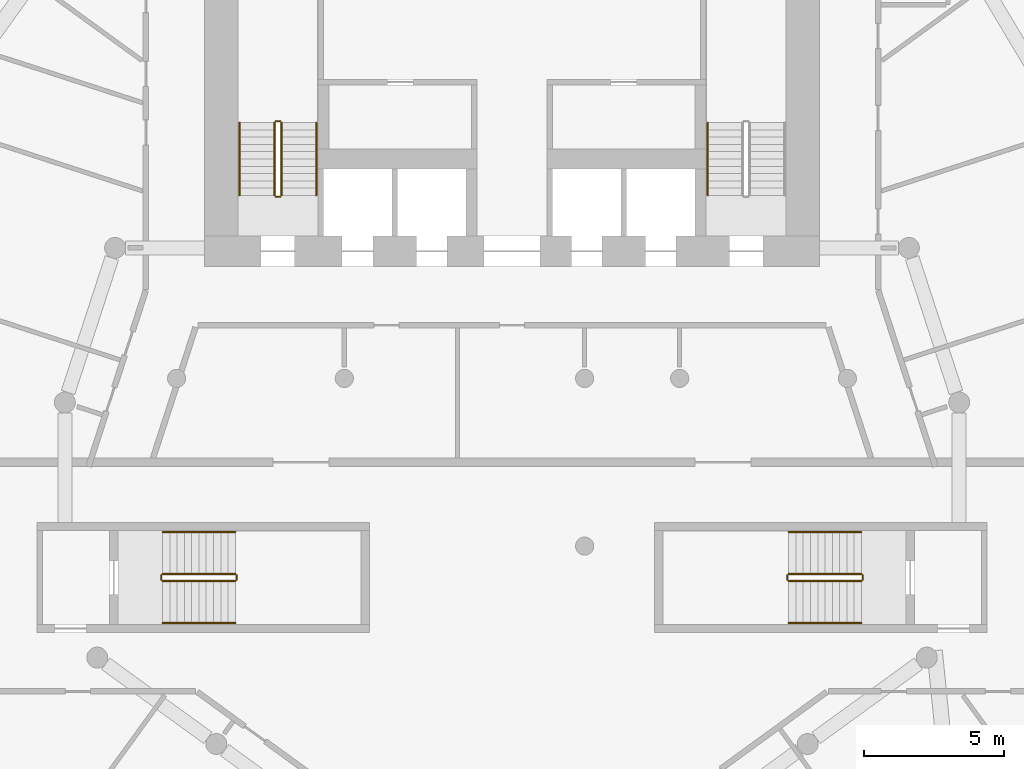
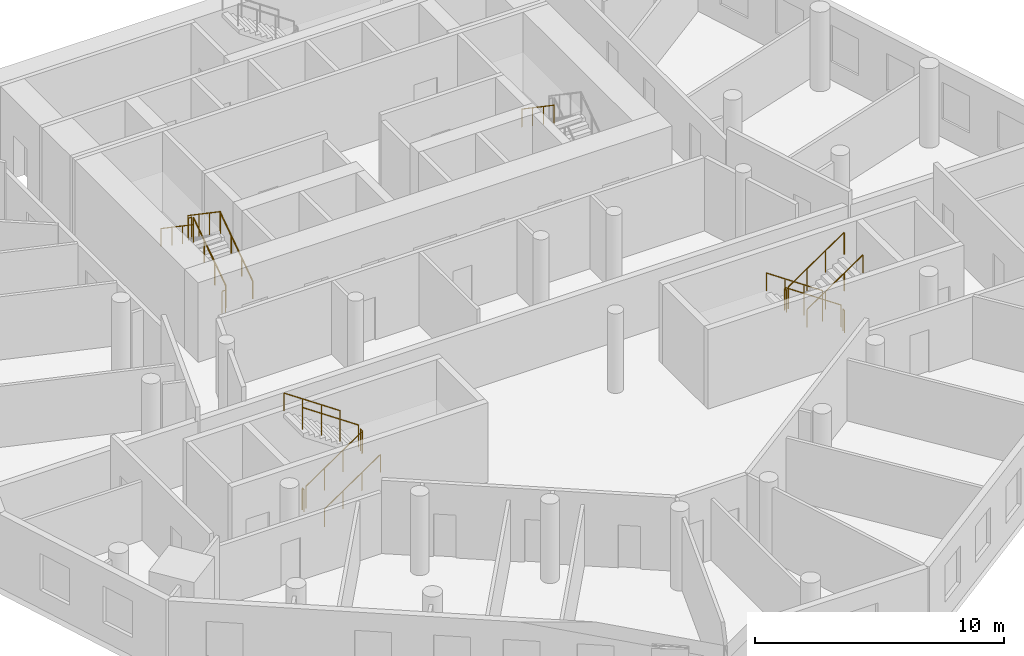
# One storey, part 8 of 9: 19 railings.
"""IFC4 building model written with IfcOpenShell, lengths in metres."""

from ifc_helpers import new_model, si_unit, direction, frame, origin, origin_2d, place, context, subcontext, project, spatial, circle, extrude, material, type_object, element, save


model = new_model("IFC4")

# Units and contexts
model_context = context("Model", 3, precision=1e-05, world=origin(), true_north=direction((0.0, 1.0)))
body_context = subcontext(model_context, "Body", "Model", "MODEL_VIEW")
ifc_project = project(units=[si_unit("LENGTHUNIT", "METRE"), si_unit("AREAUNIT", "SQUARE_METRE"), si_unit("VOLUMEUNIT", "CUBIC_METRE"), si_unit("PLANEANGLEUNIT", "RADIAN"), si_unit("MASSUNIT", "GRAM", prefix="KILO")], contexts=[model_context])

# Site, building, storey
site_placement = place(None, origin())
site = spatial("IfcSite", under=ifc_project, at=site_placement, CompositionType="ELEMENT")
building_placement = place(site_placement, origin())
building = spatial("IfcBuilding", under=site, at=building_placement, Name="White Candle Pilgrim Tower", CompositionType="ELEMENT")
storey_placement = place(building_placement, frame((0.0, 0.0, 110.300048828125)))
storey = spatial("IfcBuildingStorey", under=building, at=storey_placement, Name="L24", CompositionType="ELEMENT", Elevation=110.300048828125)

# Railings
ifc_material = material(Name="Stainless steel", Category="steel")
railing_type_1 = type_object("IfcRailingType", Name="Stair guard stainless steel 1100 mm", PredefinedType="GUARDRAIL", material=ifc_material)
railing_1_placement = place(storey_placement, frame((61.75, 73.550048828125, 0.17724609375)))
element("IfcRailing", 1, at=railing_1_placement, inside=storey, type_object=railing_type_1, Name="L24 ST1 stair guard 1", PredefinedType="GUARDRAIL", context=body_context, shape_type="SweptSolid", body=[
    extrude(circle(Radius=0.02392578125, at=origin_2d()), frame((0.0, 0.0, 1.076171875), z_axis=(0.0, 0.826215852431, 0.563353676824), x_axis=(-1.0, 0.0, 0.0)), (0.0, 0.0, 1.0), 3.146728515625),
    extrude(circle(Radius=0.02099609375, at=origin_2d()), origin(), (0.0, 0.0, 1.0), 1.052001953125),
    extrude(circle(Radius=0.02099609375, at=origin_2d()), frame((0.0, 0.86669921875, 0.5908203125)), (0.0, 0.0, 1.0), 1.052001953125),
    extrude(circle(Radius=0.02099609375, at=origin_2d()), frame((0.0, 1.733154296875, 1.181884765625)), (0.0, 0.0, 1.0), 1.052001953125),
    extrude(circle(Radius=0.02099609375, at=origin_2d()), frame((0.0, 2.599853515625, 1.772705078125)), (0.0, 0.0, 1.0), 1.052001953125),
])
railing_2_placement = place(storey_placement, frame((61.699951171875, 76.199951171875, 1.949951171875)))
element("IfcRailing", 2, at=railing_2_placement, inside=storey, type_object=railing_type_1, Name="L24 ST1 stair guard 2", PredefinedType="GUARDRAIL", context=body_context, shape_type="SweptSolid", body=[
    extrude(circle(Radius=0.02392578125, at=origin_2d()), frame((0.0, 0.0, 1.076171875), z_axis=(-1.0, 0.0, 0.0), x_axis=(0.0, -1.0, 0.0)), (0.0, 0.0, 1.0), 0.14990234375),
    extrude(circle(Radius=0.02099609375, at=origin_2d()), origin(), (0.0, 0.0, 1.0), 1.052001953125),
    extrude(circle(Radius=0.02099609375, at=origin_2d()), frame((-0.14990234375, 0.0, 0.0)), (0.0, 0.0, 1.0), 1.052001953125),
])
railing_3_placement = place(storey_placement, frame((61.5, 76.14990234375, 2.127197265625)))
element("IfcRailing", 3, at=railing_3_placement, inside=storey, type_object=railing_type_1, Name="L24 ST1 stair guard 3", PredefinedType="GUARDRAIL", context=body_context, shape_type="SweptSolid", body=[
    extrude(circle(Radius=0.02392578125, at=origin_2d()), frame((0.0, 0.0, 1.076171875), z_axis=(0.0, -0.826215852431, 0.563353676824), x_axis=(1.0, 0.0, 0.0)), (0.0, 0.0, 1.0), 3.146728515625),
    extrude(circle(Radius=0.02099609375, at=origin_2d()), origin(), (0.0, 0.0, 1.0), 1.052001953125),
    extrude(circle(Radius=0.02099609375, at=origin_2d()), frame((0.0, -0.86669921875, 0.5908203125)), (0.0, 0.0, 1.0), 1.052001953125),
    extrude(circle(Radius=0.02099609375, at=origin_2d()), frame((0.0, -1.733154296875, 1.181884765625)), (0.0, 0.0, 1.0), 1.052001953125),
    extrude(circle(Radius=0.02099609375, at=origin_2d()), frame((0.0, -2.599853515625, 1.772705078125)), (0.0, 0.0, 1.0), 1.052001953125),
])
railing_4_placement = place(storey_placement, frame((61.699951171875, 73.5, 0.0)))
element("IfcRailing", 4, at=railing_4_placement, inside=storey, type_object=railing_type_1, Name="L24 ST1 stair guard 4", PredefinedType="GUARDRAIL", context=body_context, shape_type="SweptSolid", body=[
    extrude(circle(Radius=0.02392578125, at=origin_2d()), frame((0.0, 0.0, 1.076171875), z_axis=(-1.0, 0.0, 0.0), x_axis=(0.0, -1.0, 0.0)), (0.0, 0.0, 1.0), 0.14990234375),
    extrude(circle(Radius=0.02099609375, at=origin_2d()), origin(), (0.0, 0.0, 1.0), 1.052001953125),
    extrude(circle(Radius=0.02099609375, at=origin_2d()), frame((-0.14990234375, 0.0, 0.0)), (0.0, 0.0, 1.0), 1.052001953125),
])
railing_5_placement = place(storey_placement, frame((82.5, 60.0, 0.17724609375)))
element("IfcRailing", 5, at=railing_5_placement, inside=storey, type_object=railing_type_1, Name="L24 ST4 stair guard 1", PredefinedType="GUARDRAIL", context=body_context, shape_type="SweptSolid", body=[
    extrude(circle(Radius=0.02392578125, at=origin_2d()), frame((0.0, 0.0, 1.076171875), z_axis=(-0.826240473404, 0.0, 0.563317565952), x_axis=(0.0, -1.0, 0.0)), (0.0, 0.0, 1.0), 3.14697265625),
    extrude(circle(Radius=0.02099609375, at=origin_2d()), origin(), (0.0, 0.0, 1.0), 1.052001953125),
    extrude(circle(Radius=0.02099609375, at=origin_2d()), frame((-0.86669921875, 0.0, 0.5908203125)), (0.0, 0.0, 1.0), 1.052001953125),
    extrude(circle(Radius=0.02099609375, at=origin_2d()), frame((-1.7333984375, 0.0, 1.181884765625)), (0.0, 0.0, 1.0), 1.052001953125),
    extrude(circle(Radius=0.02099609375, at=origin_2d()), frame((-2.60009765625, 0.0, 1.772705078125)), (0.0, 0.0, 1.0), 1.052001953125),
])
railing_6_placement = place(storey_placement, frame((79.85009765625, 59.949951171875, 1.949951171875)))
element("IfcRailing", 6, at=railing_6_placement, inside=storey, type_object=railing_type_1, Name="L24 ST4 stair guard 2", PredefinedType="GUARDRAIL", context=body_context, shape_type="SweptSolid", body=[
    extrude(circle(Radius=0.02392578125, at=origin_2d()), frame((0.0, 0.0, 1.076171875), z_axis=(0.0, -1.0, 0.0), x_axis=(1.0, 0.0, 0.0)), (0.0, 0.0, 1.0), 0.14990234375),
    extrude(circle(Radius=0.02099609375, at=origin_2d()), origin(), (0.0, 0.0, 1.0), 1.052001953125),
    extrude(circle(Radius=0.02099609375, at=origin_2d()), frame((0.0, -0.14990234375, 0.0)), (0.0, 0.0, 1.0), 1.052001953125),
])
railing_7_placement = place(storey_placement, frame((79.89990234375, 59.75, 2.127197265625)))
element("IfcRailing", 7, at=railing_7_placement, inside=storey, type_object=railing_type_1, Name="L24 ST4 stair guard 3", PredefinedType="GUARDRAIL", context=body_context, shape_type="SweptSolid", body=[
    extrude(circle(Radius=0.02392578125, at=origin_2d()), frame((0.0, 0.0, 1.076171875), z_axis=(0.826240473404, 0.0, 0.563317565952), x_axis=(0.0, 1.0, 0.0)), (0.0, 0.0, 1.0), 3.14697265625),
    extrude(circle(Radius=0.02099609375, at=origin_2d()), origin(), (0.0, 0.0, 1.0), 1.052001953125),
    extrude(circle(Radius=0.02099609375, at=origin_2d()), frame((0.86669921875, 0.0, 0.5908203125)), (0.0, 0.0, 1.0), 1.052001953125),
    extrude(circle(Radius=0.02099609375, at=origin_2d()), frame((1.7333984375, 0.0, 1.181884765625)), (0.0, 0.0, 1.0), 1.052001953125),
    extrude(circle(Radius=0.02099609375, at=origin_2d()), frame((2.60009765625, 0.0, 1.772705078125)), (0.0, 0.0, 1.0), 1.052001953125),
])
railing_8_placement = place(storey_placement, frame((82.550048828125, 59.949951171875, 0.0)))
element("IfcRailing", 8, at=railing_8_placement, inside=storey, type_object=railing_type_1, Name="L24 ST4 stair guard 4", PredefinedType="GUARDRAIL", context=body_context, shape_type="SweptSolid", body=[
    extrude(circle(Radius=0.02392578125, at=origin_2d()), frame((0.0, 0.0, 1.076171875), z_axis=(0.0, -1.0, 0.0), x_axis=(1.0, 0.0, 0.0)), (0.0, 0.0, 1.0), 0.14990234375),
    extrude(circle(Radius=0.02099609375, at=origin_2d()), origin(), (0.0, 0.0, 1.0), 1.052001953125),
    extrude(circle(Radius=0.02099609375, at=origin_2d()), frame((0.0, -0.14990234375, 0.0)), (0.0, 0.0, 1.0), 1.052001953125),
])
railing_9_placement = place(storey_placement, frame((57.5, 59.75, 0.17724609375)))
element("IfcRailing", 9, at=railing_9_placement, inside=storey, type_object=railing_type_1, Name="L24 ST5 stair guard 1", PredefinedType="GUARDRAIL", context=body_context, shape_type="SweptSolid", body=[
    extrude(circle(Radius=0.02392578125, at=origin_2d()), frame((0.0, 0.0, 1.076171875), z_axis=(0.826240473404, 0.0, 0.563317565952), x_axis=(0.0, 1.0, 0.0)), (0.0, 0.0, 1.0), 3.14697265625),
    extrude(circle(Radius=0.02099609375, at=origin_2d()), origin(), (0.0, 0.0, 1.0), 1.052001953125),
    extrude(circle(Radius=0.02099609375, at=origin_2d()), frame((0.86669921875, 0.0, 0.5908203125)), (0.0, 0.0, 1.0), 1.052001953125),
    extrude(circle(Radius=0.02099609375, at=origin_2d()), frame((1.7333984375, 0.0, 1.181884765625)), (0.0, 0.0, 1.0), 1.052001953125),
    extrude(circle(Radius=0.02099609375, at=origin_2d()), frame((2.60009765625, 0.0, 1.772705078125)), (0.0, 0.0, 1.0), 1.052001953125),
])
railing_10_placement = place(storey_placement, frame((60.14990234375, 59.800048828125, 1.949951171875)))
element("IfcRailing", 10, at=railing_10_placement, inside=storey, type_object=railing_type_1, Name="L24 ST5 stair guard 2", PredefinedType="GUARDRAIL", context=body_context, shape_type="SweptSolid", body=[
    extrude(circle(Radius=0.02392578125, at=origin_2d()), frame((0.0, 0.0, 1.076171875), z_axis=(0.0, 1.0, 0.0), x_axis=(-1.0, 0.0, 0.0)), (0.0, 0.0, 1.0), 0.14990234375),
    extrude(circle(Radius=0.02099609375, at=origin_2d()), origin(), (0.0, 0.0, 1.0), 1.052001953125),
    extrude(circle(Radius=0.02099609375, at=origin_2d()), frame((0.0, 0.14990234375, 0.0)), (0.0, 0.0, 1.0), 1.052001953125),
])
railing_11_placement = place(storey_placement, frame((60.10009765625, 60.0, 2.127197265625)))
element("IfcRailing", 11, at=railing_11_placement, inside=storey, type_object=railing_type_1, Name="L24 ST5 stair guard 3", PredefinedType="GUARDRAIL", context=body_context, shape_type="SweptSolid", body=[
    extrude(circle(Radius=0.02392578125, at=origin_2d()), frame((0.0, 0.0, 1.076171875), z_axis=(-0.826240473404, 0.0, 0.563317565952), x_axis=(0.0, -1.0, 0.0)), (0.0, 0.0, 1.0), 3.14697265625),
    extrude(circle(Radius=0.02099609375, at=origin_2d()), origin(), (0.0, 0.0, 1.0), 1.052001953125),
    extrude(circle(Radius=0.02099609375, at=origin_2d()), frame((-0.86669921875, 0.0, 0.5908203125)), (0.0, 0.0, 1.0), 1.052001953125),
    extrude(circle(Radius=0.02099609375, at=origin_2d()), frame((-1.7333984375, 0.0, 1.181884765625)), (0.0, 0.0, 1.0), 1.052001953125),
    extrude(circle(Radius=0.02099609375, at=origin_2d()), frame((-2.60009765625, 0.0, 1.772705078125)), (0.0, 0.0, 1.0), 1.052001953125),
])
railing_12_placement = place(storey_placement, frame((57.449951171875, 59.800048828125, 0.0)))
element("IfcRailing", 12, at=railing_12_placement, inside=storey, type_object=railing_type_1, Name="L24 ST5 stair guard 4", PredefinedType="GUARDRAIL", context=body_context, shape_type="SweptSolid", body=[
    extrude(circle(Radius=0.02392578125, at=origin_2d()), frame((0.0, 0.0, 1.076171875), z_axis=(0.0, 1.0, 0.0), x_axis=(-1.0, 0.0, 0.0)), (0.0, 0.0, 1.0), 0.14990234375),
    extrude(circle(Radius=0.02099609375, at=origin_2d()), origin(), (0.0, 0.0, 1.0), 1.052001953125),
    extrude(circle(Radius=0.02099609375, at=origin_2d()), frame((0.0, 0.14990234375, 0.0)), (0.0, 0.0, 1.0), 1.052001953125),
])
railing_type_2 = type_object("IfcRailingType", Name="Stair handrail stainless steel", PredefinedType="HANDRAIL", material=ifc_material)
railing_13_placement = place(storey_placement, frame((63.0, 73.550048828125, 0.17724609375)))
element("IfcRailing", 13, at=railing_13_placement, inside=storey, type_object=railing_type_2, Name="L24 ST1 stair handrail 1", PredefinedType="HANDRAIL", context=body_context, shape_type="SweptSolid", body=[
    extrude(circle(Radius=0.02392578125, at=origin_2d()), frame((0.0, 0.0, 0.8759765625), z_axis=(0.0, 0.826215852431, 0.563353676824), x_axis=(-1.0, 0.0, 0.0)), (0.0, 0.0, 1.0), 3.146728515625),
    extrude(circle(Radius=0.02099609375, at=origin_2d()), origin(), (0.0, 0.0, 1.0), 0.851806640625),
    extrude(circle(Radius=0.02099609375, at=origin_2d()), frame((0.0, 0.86669921875, 0.5908203125)), (0.0, 0.0, 1.0), 0.851806640625),
    extrude(circle(Radius=0.02099609375, at=origin_2d()), frame((0.0, 1.733154296875, 1.181884765625)), (0.0, 0.0, 1.0), 0.851806640625),
    extrude(circle(Radius=0.02099609375, at=origin_2d()), frame((0.0, 2.599853515625, 1.772705078125)), (0.0, 0.0, 1.0), 0.851806640625),
])
for number, where, name in (
    (14, (60.25, 76.14990234375, 2.127197265625), "L24 ST1 stair handrail 2"),
    (15, (77.0, 76.14990234375, 2.127197265625), "L24 ST2 stair handrail 2"),
):
    element("IfcRailing", number, at=place(storey_placement, frame(where)), inside=storey, type_object=railing_type_2, Name=name, PredefinedType="HANDRAIL", context=body_context, shape_type="SweptSolid", body=[
        extrude(circle(Radius=0.02392578125, at=origin_2d()), frame((0.0, 0.0, 0.8759765625), z_axis=(0.0, -0.826215852431, 0.563353676824), x_axis=(1.0, 0.0, 0.0)), (0.0, 0.0, 1.0), 3.146728515625),
        extrude(circle(Radius=0.02099609375, at=origin_2d()), origin(), (0.0, 0.0, 1.0), 0.851806640625),
        extrude(circle(Radius=0.02099609375, at=origin_2d()), frame((0.0, -0.86669921875, 0.5908203125)), (0.0, 0.0, 1.0), 0.851806640625),
        extrude(circle(Radius=0.02099609375, at=origin_2d()), frame((0.0, -1.733154296875, 1.181884765625)), (0.0, 0.0, 1.0), 0.851806640625),
        extrude(circle(Radius=0.02099609375, at=origin_2d()), frame((0.0, -2.599853515625, 1.772705078125)), (0.0, 0.0, 1.0), 0.851806640625),
    ])
railing_14_placement = place(storey_placement, frame((82.5, 61.5, 0.17724609375)))
element("IfcRailing", 16, at=railing_14_placement, inside=storey, type_object=railing_type_2, Name="L24 ST4 stair handrail 1", PredefinedType="HANDRAIL", context=body_context, shape_type="SweptSolid", body=[
    extrude(circle(Radius=0.02392578125, at=origin_2d()), frame((0.0, 0.0, 0.8759765625), z_axis=(-0.826240473404, 0.0, 0.563317565952), x_axis=(0.0, -1.0, 0.0)), (0.0, 0.0, 1.0), 3.14697265625),
    extrude(circle(Radius=0.02099609375, at=origin_2d()), origin(), (0.0, 0.0, 1.0), 0.851806640625),
    extrude(circle(Radius=0.02099609375, at=origin_2d()), frame((-0.86669921875, 0.0, 0.5908203125)), (0.0, 0.0, 1.0), 0.851806640625),
    extrude(circle(Radius=0.02099609375, at=origin_2d()), frame((-1.7333984375, 0.0, 1.181884765625)), (0.0, 0.0, 1.0), 0.851806640625),
    extrude(circle(Radius=0.02099609375, at=origin_2d()), frame((-2.60009765625, 0.0, 1.772705078125)), (0.0, 0.0, 1.0), 0.851806640625),
])
for number, where, name in (
    (17, (79.89990234375, 58.25, 2.127197265625), "L24 ST4 stair handrail 2"),
    (18, (57.5, 58.25, 0.17724609375), "L24 ST5 stair handrail 1"),
):
    element("IfcRailing", number, at=place(storey_placement, frame(where)), inside=storey, type_object=railing_type_2, Name=name, PredefinedType="HANDRAIL", context=body_context, shape_type="SweptSolid", body=[
        extrude(circle(Radius=0.02392578125, at=origin_2d()), frame((0.0, 0.0, 0.8759765625), z_axis=(0.826240473404, 0.0, 0.563317565952), x_axis=(0.0, 1.0, 0.0)), (0.0, 0.0, 1.0), 3.14697265625),
        extrude(circle(Radius=0.02099609375, at=origin_2d()), origin(), (0.0, 0.0, 1.0), 0.851806640625),
        extrude(circle(Radius=0.02099609375, at=origin_2d()), frame((0.86669921875, 0.0, 0.5908203125)), (0.0, 0.0, 1.0), 0.851806640625),
        extrude(circle(Radius=0.02099609375, at=origin_2d()), frame((1.7333984375, 0.0, 1.181884765625)), (0.0, 0.0, 1.0), 0.851806640625),
        extrude(circle(Radius=0.02099609375, at=origin_2d()), frame((2.60009765625, 0.0, 1.772705078125)), (0.0, 0.0, 1.0), 0.851806640625),
    ])
railing_15_placement = place(storey_placement, frame((60.10009765625, 61.5, 2.127197265625)))
element("IfcRailing", 19, at=railing_15_placement, inside=storey, type_object=railing_type_2, Name="L24 ST5 stair handrail 2", PredefinedType="HANDRAIL", context=body_context, shape_type="SweptSolid", body=[
    extrude(circle(Radius=0.02392578125, at=origin_2d()), frame((0.0, 0.0, 0.8759765625), z_axis=(-0.826240473404, 0.0, 0.563317565952), x_axis=(0.0, -1.0, 0.0)), (0.0, 0.0, 1.0), 3.14697265625),
    extrude(circle(Radius=0.02099609375, at=origin_2d()), origin(), (0.0, 0.0, 1.0), 0.851806640625),
    extrude(circle(Radius=0.02099609375, at=origin_2d()), frame((-0.86669921875, 0.0, 0.5908203125)), (0.0, 0.0, 1.0), 0.851806640625),
    extrude(circle(Radius=0.02099609375, at=origin_2d()), frame((-1.7333984375, 0.0, 1.181884765625)), (0.0, 0.0, 1.0), 0.851806640625),
    extrude(circle(Radius=0.02099609375, at=origin_2d()), frame((-2.60009765625, 0.0, 1.772705078125)), (0.0, 0.0, 1.0), 0.851806640625),
])

save(model, "model.ifc")
